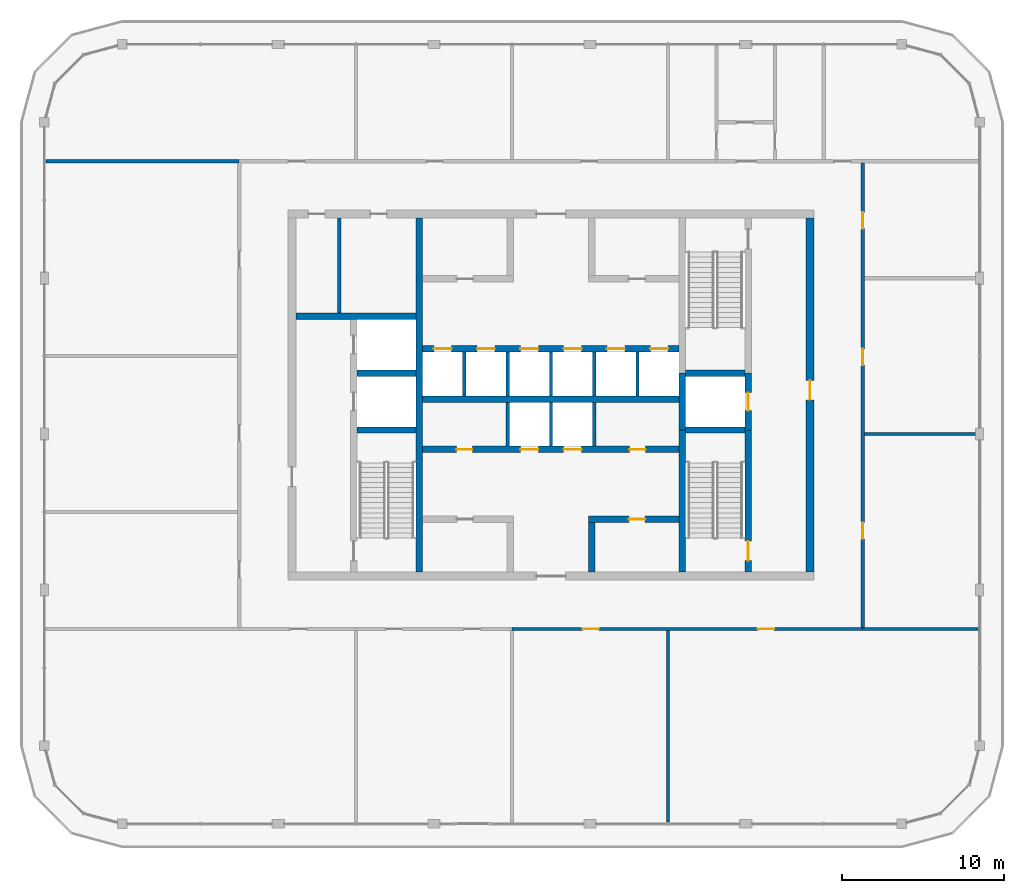
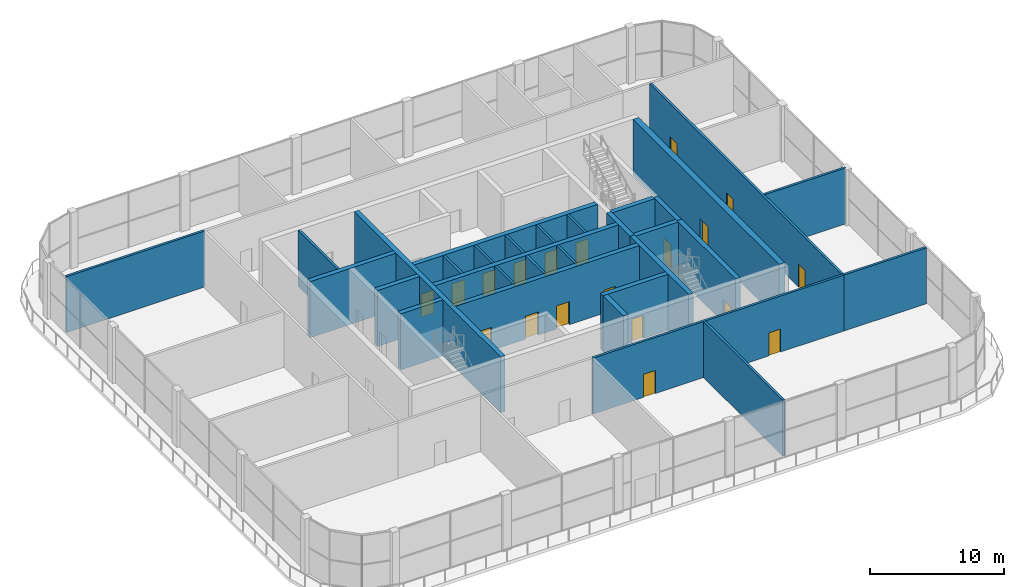
# One storey, part 10 of 15: 31 walls, 19 doors, 19 openings.
"""IFC4 building model written with IfcOpenShell, lengths in metres."""

from ifc_helpers import new_model, si_unit, direction, frame, frame_2d, origin, place, context, subcontext, project, spatial, rectangle, extrude, material, layer, layer_set, type_object, element, fill, save


model = new_model("IFC4")

# Units and contexts
model_context = context("Model", 3, precision=1e-05, world=origin(), true_north=direction((0.0, 1.0)))
body_context = subcontext(model_context, "Body", "Model", "MODEL_VIEW")
ifc_project = project(units=[si_unit("LENGTHUNIT", "METRE"), si_unit("AREAUNIT", "SQUARE_METRE"), si_unit("VOLUMEUNIT", "CUBIC_METRE"), si_unit("PLANEANGLEUNIT", "RADIAN"), si_unit("MASSUNIT", "GRAM", prefix="KILO")], contexts=[model_context])

# Site, building, storey
site_placement = place(None, origin())
site = spatial("IfcSite", under=ifc_project, at=site_placement, CompositionType="ELEMENT")
building_placement = place(site_placement, origin())
building = spatial("IfcBuilding", under=site, at=building_placement, Name="Madar Terraces", CompositionType="ELEMENT")
storey_placement = place(building_placement, frame((0.0, 0.0, 286.10009765625)))
storey = spatial("IfcBuildingStorey", under=building, at=storey_placement, Name="L75", CompositionType="ELEMENT", Elevation=286.10009765625)

# Walls
ifc_material_1 = material(Name="Concrete C50/60", Category="concrete")
ifc_layer_1 = layer(ifc_material_1, 0.39990234375)
ifc_layer_set_1 = layer_set([ifc_layer_1], Name="Concrete C50/60 (CIW6 RC wall 400)")
wall_type_1 = type_object("IfcWallType", Name="CIW6 RC wall 400", PredefinedType="SHEAR", material=ifc_layer_set_1)
wall_1_placement = place(storey_placement, frame((23.10009765625, 15.5, 0.0), z_axis=(0.0, 0.0, 1.0), x_axis=(0.0, 1.0, 0.0)))
element("IfcWall", 1, at=wall_1_placement, inside=storey, type_object=wall_type_1, Name="CORE SHAFT WALL", PredefinedType="SHEAR", context=body_context, shape_type="SweptSolid", body=[
    extrude(rectangle(XDim=21.800048828125, YDim=0.39990234375, at=frame_2d((10.89990234375, 0.0))), origin(), (0.0, 0.0, 1.0), 5.099853515625),
])
wall_2_placement = place(storey_placement, frame((39.300048828125, 15.5, 0.0), z_axis=(0.0, 0.0, 1.0), x_axis=(0.0, 1.0, 0.0)))
element("IfcWall", 2, at=wall_2_placement, inside=storey, type_object=wall_type_1, Name="CORE SHAFT WALL", PredefinedType="SHEAR", context=body_context, shape_type="SweptSolid", body=[
    extrude(rectangle(XDim=8.75, YDim=0.39990234375, at=frame_2d((4.375, 0.0))), origin(), (0.0, 0.0, 1.0), 5.099853515625),
])
wall_3_placement = place(storey_placement, frame((39.300048828125, 24.25, 0.0), z_axis=(0.0, 0.0, 1.0), x_axis=(0.0, 1.0, 0.0)))
element("IfcWall", 3, at=wall_3_placement, inside=storey, type_object=wall_type_1, Name="CORE SHAFT WALL", PredefinedType="SHEAR", context=body_context, shape_type="SweptSolid", body=[
    extrude(rectangle(XDim=3.5, YDim=0.39990234375, at=frame_2d((1.75, 0.0))), origin(), (0.0, 0.0, 1.0), 5.099853515625),
])

# Wall, opening, door
wall_4_placement = place(storey_placement, frame((43.35009765625, 15.5, 0.0), z_axis=(0.0, 0.0, 1.0), x_axis=(0.0, 1.0, 0.0)))
wall_4 = element("IfcWall", 4, at=wall_4_placement, inside=storey, type_object=wall_type_1, Name="CORE SHAFT WALL", PredefinedType="SHEAR", context=body_context, shape_type="SweptSolid", body=[
    extrude(rectangle(XDim=8.75, YDim=0.39990234375, at=frame_2d((4.375, 0.0))), origin(), (0.0, 0.0, 1.0), 5.099853515625),
])
opening_1_placement = place(wall_4_placement, frame((0.699951171875, 0.0, 0.0)))
opening_1 = element("IfcOpeningElement", 5, at=opening_1_placement, cuts=wall_4, Name="Opening SD1", PredefinedType="OPENING", context=body_context, shape_type="SweptSolid", body=[
    extrude(rectangle(XDim=1.199951171875, YDim=2.10009765625, at=frame_2d((0.60009765625, 1.050048828125))), frame((0.0, 0.2099609375, 0.0), z_axis=(0.0, -1.0, 0.0), x_axis=(1.0, 0.0, 0.0)), (0.0, 0.0, 1.0), 0.419921875),
])
ifc_material_2 = material(Name="Steel door leaf", Category="steel")
door_type_1 = type_object("IfcDoorType", Name="Stair door 1200 x 2100", OperationType="NOTDEFINED", PredefinedType="DOOR", material=ifc_material_2)
door_1_placement = place(opening_1_placement, origin())
door_1 = element("IfcDoor", 6, at=door_1_placement, inside=storey, type_object=door_type_1, Name="STAIR DOOR", OperationType="SINGLE_SWING_RIGHT", OverallHeight=2.10009765625, OverallWidth=1.199951171875, PredefinedType="DOOR", context=body_context, shape_type="SweptSolid", body=[
    extrude(rectangle(XDim=1.199951171875, YDim=2.10009765625, at=frame_2d((0.60009765625, 1.050048828125))), frame((0.0, 0.02490234375, 0.0), z_axis=(0.0, -1.0, 0.0), x_axis=(1.0, 0.0, 0.0)), (0.0, 0.0, 1.0), 0.050048828125),
])
fill(opening_1, door_1)

wall_5_placement = place(storey_placement, frame((43.35009765625, 24.25, 0.0), z_axis=(0.0, 0.0, 1.0), x_axis=(0.0, 1.0, 0.0)))
wall_5 = element("IfcWall", 7, at=wall_5_placement, inside=storey, type_object=wall_type_1, Name="CORE SHAFT WALL", PredefinedType="SHEAR", context=body_context, shape_type="SweptSolid", body=[
    extrude(rectangle(XDim=3.5, YDim=0.39990234375, at=frame_2d((1.75, 0.0))), origin(), (0.0, 0.0, 1.0), 5.099853515625),
])
opening_2_placement = place(wall_5_placement, frame((1.199951171875, 0.0, 0.0)))
opening_2 = element("IfcOpeningElement", 8, at=opening_2_placement, cuts=wall_5, Name="Opening LD", PredefinedType="OPENING", context=body_context, shape_type="SweptSolid", body=[
    extrude(rectangle(XDim=1.10009765625, YDim=2.10009765625, at=frame_2d((0.550048828125, 1.050048828125))), frame((0.0, 0.2099609375, 0.0), z_axis=(0.0, -1.0, 0.0), x_axis=(1.0, 0.0, 0.0)), (0.0, 0.0, 1.0), 0.419921875),
])
ifc_material_3 = material(Name="Stainless steel panel", Category="steel")
door_type_2 = type_object("IfcDoorType", Name="Lift landing door 1100 x 2100", OperationType="DOUBLE_DOOR_SLIDING", PredefinedType="DOOR", material=ifc_material_3)
door_2_placement = place(opening_2_placement, origin())
door_2 = element("IfcDoor", 9, at=door_2_placement, inside=storey, type_object=door_type_2, Name="LIFT LANDING DOOR", OperationType="DOUBLE_DOOR_SLIDING", OverallHeight=2.10009765625, OverallWidth=1.10009765625, PredefinedType="DOOR", context=body_context, shape_type="SweptSolid", body=[
    extrude(rectangle(XDim=1.10009765625, YDim=2.10009765625, at=frame_2d((0.550048828125, 1.050048828125))), frame((0.0, 0.02490234375, 0.0), z_axis=(0.0, -1.0, 0.0), x_axis=(1.0, 0.0, 0.0)), (0.0, 0.0, 1.0), 0.050048828125),
])
fill(opening_2, door_2)

# Walls
for number, where, z_axis, x_axis, name in (
    (10, (19.25, 24.25, 0.0), (0.0, 0.0, 1.0), (1.0, 0.0, 0.0), "CORE SHAFT WALL"),
    (11, (19.25, 27.75, 0.0), (0.0, 0.0, 1.0), (1.0, 0.0, 0.0), "CORE SHAFT WALL"),
):
    element("IfcWall", number, at=place(storey_placement, frame(where, z_axis=z_axis, x_axis=x_axis)), inside=storey, type_object=wall_type_1, Name=name, PredefinedType="SHEAR", context=body_context, shape_type="SweptSolid", body=[
        extrude(rectangle(XDim=3.64990234375, YDim=0.39990234375, at=frame_2d((1.824951171875, 0.0))), origin(), (0.0, 0.0, 1.0), 5.099853515625),
    ])
wall_6_placement = place(storey_placement, frame((15.5, 31.25, 0.0), z_axis=(0.0, 0.0, 1.0), x_axis=(1.0, 0.0, 0.0)))
element("IfcWall", 12, at=wall_6_placement, inside=storey, type_object=wall_type_1, Name="CORE SHAFT WALL", PredefinedType="SHEAR", context=body_context, shape_type="SweptSolid", body=[
    extrude(rectangle(XDim=7.39990234375, YDim=0.39990234375, at=frame_2d((3.699951171875, 0.0))), origin(), (0.0, 0.0, 1.0), 5.099853515625),
])
for number, where, z_axis, x_axis, name in (
    (13, (39.5, 24.25, 0.0), (0.0, 0.0, 1.0), (1.0, 0.0, 0.0), "CORE SHAFT WALL"),
    (14, (39.5, 27.75, 0.0), (0.0, 0.0, 1.0), (1.0, 0.0, 0.0), "CORE SHAFT WALL"),
):
    element("IfcWall", number, at=place(storey_placement, frame(where, z_axis=z_axis, x_axis=x_axis)), inside=storey, type_object=wall_type_1, Name=name, PredefinedType="SHEAR", context=body_context, shape_type="SweptSolid", body=[
        extrude(rectangle(XDim=3.64990234375, YDim=0.39990234375, at=frame_2d((1.824951171875, 0.0))), origin(), (0.0, 0.0, 1.0), 5.099853515625),
    ])

# Wall, opening, door
wall_7_placement = place(storey_placement, frame((33.5, 18.75, 0.0), z_axis=(0.0, 0.0, 1.0), x_axis=(1.0, 0.0, 0.0)))
wall_7 = element("IfcWall", 15, at=wall_7_placement, inside=storey, type_object=wall_type_1, Name="CORE SHAFT WALL", PredefinedType="SHEAR", context=body_context, shape_type="SweptSolid", body=[
    extrude(rectangle(XDim=5.60009765625, YDim=0.39990234375, at=frame_2d((2.800048828125, 0.0))), origin(), (0.0, 0.0, 1.0), 5.099853515625),
])
opening_3_placement = place(wall_7_placement, frame((2.5, 0.0, 0.0)))
opening_3 = element("IfcOpeningElement", 16, at=opening_3_placement, cuts=wall_7, Name="Opening KD2", PredefinedType="OPENING", context=body_context, shape_type="SweptSolid", body=[
    extrude(rectangle(XDim=1.0, YDim=2.10009765625, at=frame_2d((0.5, 1.050048828125))), frame((0.0, 0.2099609375, 0.0), z_axis=(0.0, -1.0, 0.0), x_axis=(1.0, 0.0, 0.0)), (0.0, 0.0, 1.0), 0.419921875),
])
ifc_material_4 = material(Name="Steel door leaf", Category="steel")
door_type_3 = type_object("IfcDoorType", Name="Service room door 1000 x 2100", OperationType="NOTDEFINED", PredefinedType="DOOR", material=ifc_material_4)
door_3_placement = place(opening_3_placement, origin())
door_3 = element("IfcDoor", 17, at=door_3_placement, inside=storey, type_object=door_type_3, Name="SERVICE ROOM DOOR", OperationType="SINGLE_SWING_LEFT", OverallHeight=2.10009765625, OverallWidth=1.0, PredefinedType="DOOR", context=body_context, shape_type="SweptSolid", body=[
    extrude(rectangle(XDim=1.0, YDim=2.10009765625, at=frame_2d((0.5, 1.050048828125))), frame((0.0, 0.02490234375, 0.0), z_axis=(0.0, -1.0, 0.0), x_axis=(1.0, 0.0, 0.0)), (0.0, 0.0, 1.0), 0.050048828125),
])
fill(opening_3, door_3)

# Wall, openings, doors
wall_8_placement = place(storey_placement, frame((23.300048828125, 23.050048828125, 0.0), z_axis=(0.0, 0.0, 1.0), x_axis=(1.0, 0.0, 0.0)))
wall_8 = element("IfcWall", 18, at=wall_8_placement, inside=storey, type_object=wall_type_1, Name="CORE SHAFT WALL", PredefinedType="SHEAR", context=body_context, shape_type="SweptSolid", body=[
    extrude(rectangle(XDim=15.800048828125, YDim=0.39990234375, at=frame_2d((7.89990234375, 0.0))), origin(), (0.0, 0.0, 1.0), 5.099853515625),
])
opening_4_placement = place(wall_8_placement, frame((6.0166015625, 0.0, 0.0)))
opening_4 = element("IfcOpeningElement", 19, at=opening_4_placement, cuts=wall_8, Name="Opening LD", PredefinedType="OPENING", context=body_context, shape_type="SweptSolid", body=[
    extrude(rectangle(XDim=1.10009765625, YDim=2.10009765625, at=frame_2d((0.550048828125, 1.050048828125))), frame((0.0, 0.2099609375, 0.0), z_axis=(0.0, -1.0, 0.0), x_axis=(1.0, 0.0, 0.0)), (0.0, 0.0, 1.0), 0.419921875),
])
opening_5_placement = place(wall_8_placement, frame((8.683349609375, 0.0, 0.0)))
opening_5 = element("IfcOpeningElement", 20, at=opening_5_placement, cuts=wall_8, Name="Opening LD", PredefinedType="OPENING", context=body_context, shape_type="SweptSolid", body=[
    extrude(rectangle(XDim=1.10009765625, YDim=2.10009765625, at=frame_2d((0.550048828125, 1.050048828125))), frame((0.0, 0.2099609375, 0.0), z_axis=(0.0, -1.0, 0.0), x_axis=(1.0, 0.0, 0.0)), (0.0, 0.0, 1.0), 0.419921875),
])
opening_6_placement = place(wall_8_placement, frame((2.066650390625, 0.0, 0.0)))
opening_6 = element("IfcOpeningElement", 21, at=opening_6_placement, cuts=wall_8, Name="Opening KD2", PredefinedType="OPENING", context=body_context, shape_type="SweptSolid", body=[
    extrude(rectangle(XDim=1.0, YDim=2.10009765625, at=frame_2d((0.5, 1.050048828125))), frame((0.0, 0.2099609375, 0.0), z_axis=(0.0, -1.0, 0.0), x_axis=(1.0, 0.0, 0.0)), (0.0, 0.0, 1.0), 0.419921875),
])
opening_7_placement = place(wall_8_placement, frame((12.7333984375, 0.0, 0.0)))
opening_7 = element("IfcOpeningElement", 22, at=opening_7_placement, cuts=wall_8, Name="Opening KD2", PredefinedType="OPENING", context=body_context, shape_type="SweptSolid", body=[
    extrude(rectangle(XDim=1.0, YDim=2.10009765625, at=frame_2d((0.5, 1.050048828125))), frame((0.0, 0.2099609375, 0.0), z_axis=(0.0, -1.0, 0.0), x_axis=(1.0, 0.0, 0.0)), (0.0, 0.0, 1.0), 0.419921875),
])
door_4_placement = place(opening_4_placement, origin())
door_4 = element("IfcDoor", 23, at=door_4_placement, inside=storey, type_object=door_type_2, Name="LIFT LANDING DOOR", OperationType="DOUBLE_DOOR_SLIDING", OverallHeight=2.10009765625, OverallWidth=1.10009765625, PredefinedType="DOOR", context=body_context, shape_type="SweptSolid", body=[
    extrude(rectangle(XDim=1.10009765625, YDim=2.10009765625, at=frame_2d((0.550048828125, 1.050048828125))), frame((0.0, 0.02490234375, 0.0), z_axis=(0.0, -1.0, 0.0), x_axis=(1.0, 0.0, 0.0)), (0.0, 0.0, 1.0), 0.050048828125),
])
fill(opening_4, door_4)
door_5_placement = place(opening_5_placement, origin())
door_5 = element("IfcDoor", 24, at=door_5_placement, inside=storey, type_object=door_type_2, Name="LIFT LANDING DOOR", OperationType="DOUBLE_DOOR_SLIDING", OverallHeight=2.10009765625, OverallWidth=1.10009765625, PredefinedType="DOOR", context=body_context, shape_type="SweptSolid", body=[
    extrude(rectangle(XDim=1.10009765625, YDim=2.10009765625, at=frame_2d((0.550048828125, 1.050048828125))), frame((0.0, 0.02490234375, 0.0), z_axis=(0.0, -1.0, 0.0), x_axis=(1.0, 0.0, 0.0)), (0.0, 0.0, 1.0), 0.050048828125),
])
fill(opening_5, door_5)
door_6_placement = place(opening_6_placement, frame((1.0, 0.0, 0.0), z_axis=(0.0, 0.0, 1.0), x_axis=(-1.0, 0.0, 0.0)))
door_6 = element("IfcDoor", 25, at=door_6_placement, inside=storey, type_object=door_type_3, Name="SERVICE ROOM DOOR", OperationType="SINGLE_SWING_RIGHT", OverallHeight=2.10009765625, OverallWidth=1.0, PredefinedType="DOOR", context=body_context, shape_type="SweptSolid", body=[
    extrude(rectangle(XDim=1.0, YDim=2.10009765625, at=frame_2d((0.5, 1.050048828125))), frame((0.0, 0.02490234375, 0.0), z_axis=(0.0, -1.0, 0.0), x_axis=(1.0, 0.0, 0.0)), (0.0, 0.0, 1.0), 0.050048828125),
])
fill(opening_6, door_6)
door_7_placement = place(opening_7_placement, frame((1.0, 0.0, 0.0), z_axis=(0.0, 0.0, 1.0), x_axis=(-1.0, 0.0, 0.0)))
door_7 = element("IfcDoor", 26, at=door_7_placement, inside=storey, type_object=door_type_3, Name="SERVICE ROOM DOOR", OperationType="SINGLE_SWING_LEFT", OverallHeight=2.10009765625, OverallWidth=1.0, PredefinedType="DOOR", context=body_context, shape_type="SweptSolid", body=[
    extrude(rectangle(XDim=1.0, YDim=2.10009765625, at=frame_2d((0.5, 1.050048828125))), frame((0.0, 0.02490234375, 0.0), z_axis=(0.0, -1.0, 0.0), x_axis=(1.0, 0.0, 0.0)), (0.0, 0.0, 1.0), 0.050048828125),
])
fill(opening_7, door_7)

# Wall
wall_9_placement = place(storey_placement, frame((23.300048828125, 26.14990234375, 0.0), z_axis=(0.0, 0.0, 1.0), x_axis=(1.0, 0.0, 0.0)))
element("IfcWall", 27, at=wall_9_placement, inside=storey, type_object=wall_type_1, Name="CORE SHAFT WALL", PredefinedType="SHEAR", context=body_context, shape_type="SweptSolid", body=[
    extrude(rectangle(XDim=15.800048828125, YDim=0.39990234375, at=frame_2d((7.89990234375, 0.0))), origin(), (0.0, 0.0, 1.0), 5.099853515625),
])

# Wall, openings, doors
wall_10_placement = place(storey_placement, frame((23.300048828125, 29.25, 0.0), z_axis=(0.0, 0.0, 1.0), x_axis=(1.0, 0.0, 0.0)))
wall_10 = element("IfcWall", 28, at=wall_10_placement, inside=storey, type_object=wall_type_1, Name="CORE SHAFT WALL", PredefinedType="SHEAR", context=body_context, shape_type="SweptSolid", body=[
    extrude(rectangle(XDim=15.800048828125, YDim=0.39990234375, at=frame_2d((7.89990234375, 0.0))), origin(), (0.0, 0.0, 1.0), 5.099853515625),
])
opening_8_placement = place(wall_10_placement, frame((0.683349609375, 0.0, 0.0)))
opening_8 = element("IfcOpeningElement", 29, at=opening_8_placement, cuts=wall_10, Name="Opening LD", PredefinedType="OPENING", context=body_context, shape_type="SweptSolid", body=[
    extrude(rectangle(XDim=1.10009765625, YDim=2.10009765625, at=frame_2d((0.550048828125, 1.050048828125))), frame((0.0, 0.2099609375, 0.0), z_axis=(0.0, -1.0, 0.0), x_axis=(1.0, 0.0, 0.0)), (0.0, 0.0, 1.0), 0.419921875),
])
opening_9_placement = place(wall_10_placement, frame((3.35009765625, 0.0, 0.0)))
opening_9 = element("IfcOpeningElement", 30, at=opening_9_placement, cuts=wall_10, Name="Opening LD", PredefinedType="OPENING", context=body_context, shape_type="SweptSolid", body=[
    extrude(rectangle(XDim=1.10009765625, YDim=2.10009765625, at=frame_2d((0.550048828125, 1.050048828125))), frame((0.0, 0.2099609375, 0.0), z_axis=(0.0, -1.0, 0.0), x_axis=(1.0, 0.0, 0.0)), (0.0, 0.0, 1.0), 0.419921875),
])
opening_10_placement = place(wall_10_placement, frame((6.0166015625, 0.0, 0.0)))
opening_10 = element("IfcOpeningElement", 31, at=opening_10_placement, cuts=wall_10, Name="Opening LD", PredefinedType="OPENING", context=body_context, shape_type="SweptSolid", body=[
    extrude(rectangle(XDim=1.10009765625, YDim=2.10009765625, at=frame_2d((0.550048828125, 1.050048828125))), frame((0.0, 0.2099609375, 0.0), z_axis=(0.0, -1.0, 0.0), x_axis=(1.0, 0.0, 0.0)), (0.0, 0.0, 1.0), 0.419921875),
])
opening_11_placement = place(wall_10_placement, frame((8.683349609375, 0.0, 0.0)))
opening_11 = element("IfcOpeningElement", 32, at=opening_11_placement, cuts=wall_10, Name="Opening LD", PredefinedType="OPENING", context=body_context, shape_type="SweptSolid", body=[
    extrude(rectangle(XDim=1.10009765625, YDim=2.10009765625, at=frame_2d((0.550048828125, 1.050048828125))), frame((0.0, 0.2099609375, 0.0), z_axis=(0.0, -1.0, 0.0), x_axis=(1.0, 0.0, 0.0)), (0.0, 0.0, 1.0), 0.419921875),
])
opening_12_placement = place(wall_10_placement, frame((11.35009765625, 0.0, 0.0)))
opening_12 = element("IfcOpeningElement", 33, at=opening_12_placement, cuts=wall_10, Name="Opening LD", PredefinedType="OPENING", context=body_context, shape_type="SweptSolid", body=[
    extrude(rectangle(XDim=1.10009765625, YDim=2.10009765625, at=frame_2d((0.550048828125, 1.050048828125))), frame((0.0, 0.2099609375, 0.0), z_axis=(0.0, -1.0, 0.0), x_axis=(1.0, 0.0, 0.0)), (0.0, 0.0, 1.0), 0.419921875),
])
opening_13_placement = place(wall_10_placement, frame((14.0166015625, 0.0, 0.0)))
opening_13 = element("IfcOpeningElement", 34, at=opening_13_placement, cuts=wall_10, Name="Opening LD", PredefinedType="OPENING", context=body_context, shape_type="SweptSolid", body=[
    extrude(rectangle(XDim=1.10009765625, YDim=2.10009765625, at=frame_2d((0.550048828125, 1.050048828125))), frame((0.0, 0.2099609375, 0.0), z_axis=(0.0, -1.0, 0.0), x_axis=(1.0, 0.0, 0.0)), (0.0, 0.0, 1.0), 0.419921875),
])
door_8_placement = place(opening_8_placement, origin())
door_8 = element("IfcDoor", 35, at=door_8_placement, inside=storey, type_object=door_type_2, Name="LIFT LANDING DOOR", OperationType="DOUBLE_DOOR_SLIDING", OverallHeight=2.10009765625, OverallWidth=1.10009765625, PredefinedType="DOOR", context=body_context, shape_type="SweptSolid", body=[
    extrude(rectangle(XDim=1.10009765625, YDim=2.10009765625, at=frame_2d((0.550048828125, 1.050048828125))), frame((0.0, 0.02490234375, 0.0), z_axis=(0.0, -1.0, 0.0), x_axis=(1.0, 0.0, 0.0)), (0.0, 0.0, 1.0), 0.050048828125),
])
fill(opening_8, door_8)
door_9_placement = place(opening_9_placement, origin())
door_9 = element("IfcDoor", 36, at=door_9_placement, inside=storey, type_object=door_type_2, Name="LIFT LANDING DOOR", OperationType="DOUBLE_DOOR_SLIDING", OverallHeight=2.10009765625, OverallWidth=1.10009765625, PredefinedType="DOOR", context=body_context, shape_type="SweptSolid", body=[
    extrude(rectangle(XDim=1.10009765625, YDim=2.10009765625, at=frame_2d((0.550048828125, 1.050048828125))), frame((0.0, 0.02490234375, 0.0), z_axis=(0.0, -1.0, 0.0), x_axis=(1.0, 0.0, 0.0)), (0.0, 0.0, 1.0), 0.050048828125),
])
fill(opening_9, door_9)
door_10_placement = place(opening_10_placement, origin())
door_10 = element("IfcDoor", 37, at=door_10_placement, inside=storey, type_object=door_type_2, Name="LIFT LANDING DOOR", OperationType="DOUBLE_DOOR_SLIDING", OverallHeight=2.10009765625, OverallWidth=1.10009765625, PredefinedType="DOOR", context=body_context, shape_type="SweptSolid", body=[
    extrude(rectangle(XDim=1.10009765625, YDim=2.10009765625, at=frame_2d((0.550048828125, 1.050048828125))), frame((0.0, 0.02490234375, 0.0), z_axis=(0.0, -1.0, 0.0), x_axis=(1.0, 0.0, 0.0)), (0.0, 0.0, 1.0), 0.050048828125),
])
fill(opening_10, door_10)
door_11_placement = place(opening_11_placement, origin())
door_11 = element("IfcDoor", 38, at=door_11_placement, inside=storey, type_object=door_type_2, Name="LIFT LANDING DOOR", OperationType="DOUBLE_DOOR_SLIDING", OverallHeight=2.10009765625, OverallWidth=1.10009765625, PredefinedType="DOOR", context=body_context, shape_type="SweptSolid", body=[
    extrude(rectangle(XDim=1.10009765625, YDim=2.10009765625, at=frame_2d((0.550048828125, 1.050048828125))), frame((0.0, 0.02490234375, 0.0), z_axis=(0.0, -1.0, 0.0), x_axis=(1.0, 0.0, 0.0)), (0.0, 0.0, 1.0), 0.050048828125),
])
fill(opening_11, door_11)
door_12_placement = place(opening_12_placement, origin())
door_12 = element("IfcDoor", 39, at=door_12_placement, inside=storey, type_object=door_type_2, Name="LIFT LANDING DOOR", OperationType="DOUBLE_DOOR_SLIDING", OverallHeight=2.10009765625, OverallWidth=1.10009765625, PredefinedType="DOOR", context=body_context, shape_type="SweptSolid", body=[
    extrude(rectangle(XDim=1.10009765625, YDim=2.10009765625, at=frame_2d((0.550048828125, 1.050048828125))), frame((0.0, 0.02490234375, 0.0), z_axis=(0.0, -1.0, 0.0), x_axis=(1.0, 0.0, 0.0)), (0.0, 0.0, 1.0), 0.050048828125),
])
fill(opening_12, door_12)
door_13_placement = place(opening_13_placement, origin())
door_13 = element("IfcDoor", 40, at=door_13_placement, inside=storey, type_object=door_type_2, Name="LIFT LANDING DOOR", OperationType="DOUBLE_DOOR_SLIDING", OverallHeight=2.10009765625, OverallWidth=1.10009765625, PredefinedType="DOOR", context=body_context, shape_type="SweptSolid", body=[
    extrude(rectangle(XDim=1.10009765625, YDim=2.10009765625, at=frame_2d((0.550048828125, 1.050048828125))), frame((0.0, 0.02490234375, 0.0), z_axis=(0.0, -1.0, 0.0), x_axis=(1.0, 0.0, 0.0)), (0.0, 0.0, 1.0), 0.050048828125),
])
fill(opening_13, door_13)

# Wall
wall_11_placement = place(storey_placement, frame((33.699951171875, 15.5, 0.0), z_axis=(0.0, 0.0, 1.0), x_axis=(0.0, 1.0, 0.0)))
element("IfcWall", 41, at=wall_11_placement, inside=storey, type_object=wall_type_1, Name="CORE SHAFT WALL", PredefinedType="SHEAR", context=body_context, shape_type="SweptSolid", body=[
    extrude(rectangle(XDim=3.050048828125, YDim=0.39990234375, at=frame_2d((1.52490234375, 0.0))), origin(), (0.0, 0.0, 1.0), 5.099853515625),
])

# Wall, opening, door
ifc_material_5 = material(Name="Concrete C50/60", Category="concrete")
ifc_layer_2 = layer(ifc_material_5, 0.5)
ifc_layer_set_2 = layer_set([ifc_layer_2], Name="Concrete C50/60 (CRW6 RC wall 500)")
wall_type_2 = type_object("IfcWallType", Name="CRW6 RC wall 500", PredefinedType="SHEAR", material=ifc_layer_set_2)
wall_12_placement = place(storey_placement, frame((47.14990234375, 15.5, 0.0), z_axis=(0.0, 0.0, 1.0), x_axis=(0.0, 1.0, 0.0)))
wall_12 = element("IfcWall", 42, at=wall_12_placement, inside=storey, type_object=wall_type_2, Name="CORE OUTER WALL", PredefinedType="SHEAR", context=body_context, shape_type="SweptSolid", body=[
    extrude(rectangle(XDim=21.800048828125, YDim=0.5, at=frame_2d((10.89990234375, 0.0))), origin(), (0.0, 0.0, 1.0), 5.099853515625),
])
opening_14_placement = place(wall_12_placement, frame((10.60009765625, 0.0, 0.0)))
opening_14 = element("IfcOpeningElement", 43, at=opening_14_placement, cuts=wall_12, Name="Opening SD1", PredefinedType="OPENING", context=body_context, shape_type="SweptSolid", body=[
    extrude(rectangle(XDim=1.199951171875, YDim=2.10009765625, at=frame_2d((0.60009765625, 1.050048828125))), frame((0.0, 0.260009765625, 0.0), z_axis=(0.0, -1.0, 0.0), x_axis=(1.0, 0.0, 0.0)), (0.0, 0.0, 1.0), 0.52001953125),
])
door_14_placement = place(opening_14_placement, origin())
door_14 = element("IfcDoor", 44, at=door_14_placement, inside=storey, type_object=door_type_1, Name="STAIR DOOR", OperationType="SINGLE_SWING_LEFT", OverallHeight=2.10009765625, OverallWidth=1.199951171875, PredefinedType="DOOR", context=body_context, shape_type="SweptSolid", body=[
    extrude(rectangle(XDim=1.199951171875, YDim=2.10009765625, at=frame_2d((0.60009765625, 1.050048828125))), frame((0.0, 0.02490234375, 0.0), z_axis=(0.0, -1.0, 0.0), x_axis=(1.0, 0.0, 0.0)), (0.0, 0.0, 1.0), 0.050048828125),
])
fill(opening_14, door_14)

# Walls
ifc_material_6 = material(Name="Masonry blockwork", Category="masonry")
ifc_layer_3 = layer(ifc_material_6, 0.199951171875)
ifc_layer_set_3 = layer_set([ifc_layer_3], Name="Core partition 200 blockwork")
wall_type_3 = type_object("IfcWallType", Name="Core partition 200 blockwork", PredefinedType="PARTITIONING", material=ifc_layer_set_3)
wall_13_placement = place(storey_placement, frame((18.1640625, 31.449951171875, 0.0), z_axis=(0.0, 0.0, 1.0), x_axis=(0.0, 1.0, 0.0)))
element("IfcWall", 45, at=wall_13_placement, inside=storey, type_object=wall_type_3, Name="SERVICE ROOM PARTITION", PredefinedType="PARTITIONING", context=body_context, shape_type="SweptSolid", body=[
    extrude(rectangle(XDim=5.85009765625, YDim=0.199951171875, at=frame_2d((2.925048828125, 0.0))), origin(), (0.0, 0.0, 1.0), 5.099853515625),
])
ifc_material_7 = material(Name="Concrete C40/50", Category="concrete")
ifc_layer_4 = layer(ifc_material_7, 0.199951171875)
ifc_layer_set_4 = layer_set([ifc_layer_4], Name="Core shaft dividing wall 200 C40/50")
wall_type_4 = type_object("IfcWallType", Name="Core shaft dividing wall 200 C40/50", PredefinedType="SOLIDWALL", material=ifc_layer_set_4)
for number, where, z_axis, x_axis, name in (
    (46, (25.86669921875, 26.35009765625, 0.0), (0.0, 0.0, 1.0), (0.0, 1.0, 0.0), "SHAFT DIVIDING WALL"),
    (47, (28.533447265625, 23.25, 0.0), (0.0, 0.0, 1.0), (0.0, 1.0, 0.0), "SHAFT DIVIDING WALL"),
    (48, (28.533447265625, 26.35009765625, 0.0), (0.0, 0.0, 1.0), (0.0, 1.0, 0.0), "SHAFT DIVIDING WALL"),
    (49, (31.199951171875, 23.25, 0.0), (0.0, 0.0, 1.0), (0.0, 1.0, 0.0), "SHAFT DIVIDING WALL"),
    (50, (31.199951171875, 26.35009765625, 0.0), (0.0, 0.0, 1.0), (0.0, 1.0, 0.0), "SHAFT DIVIDING WALL"),
    (51, (33.86669921875, 23.25, 0.0), (0.0, 0.0, 1.0), (0.0, 1.0, 0.0), "SHAFT DIVIDING WALL"),
    (52, (33.86669921875, 26.35009765625, 0.0), (0.0, 0.0, 1.0), (0.0, 1.0, 0.0), "SHAFT DIVIDING WALL"),
    (53, (36.533447265625, 26.35009765625, 0.0), (0.0, 0.0, 1.0), (0.0, 1.0, 0.0), "SHAFT DIVIDING WALL"),
):
    element("IfcWall", number, at=place(storey_placement, frame(where, z_axis=z_axis, x_axis=x_axis)), inside=storey, type_object=wall_type_4, Name=name, PredefinedType="SOLIDWALL", context=body_context, shape_type="SweptSolid", body=[
        extrude(rectangle(XDim=2.699951171875, YDim=0.199951171875, at=frame_2d((1.35009765625, 0.0))), origin(), (0.0, 0.0, 1.0), 5.099853515625),
    ])
ifc_material_8 = material(Name="Gypsum board partition, fire-rated")
ifc_layer_5 = layer(ifc_material_8, 0.199951171875)
ifc_layer_set_5 = layer_set([ifc_layer_5], Name="Partition 200 EI 60")
wall_type_5 = type_object("IfcWallType", Name="Partition 200 EI 60", PredefinedType="PARTITIONING", material=ifc_layer_set_5)
wall_14_placement = place(storey_placement, frame((50.39990234375, 12.0, 0.0), z_axis=(0.0, 0.0, 1.0), x_axis=(1.0, 0.0, 0.0)))
element("IfcWall", 54, at=wall_14_placement, inside=storey, type_object=wall_type_5, Name="Wall ORIENTATION ROOM / STAFF ROOM", PredefinedType="PARTITIONING", context=body_context, shape_type="SweptSolid", body=[
    extrude(rectangle(XDim=7.10009765625, YDim=0.199951171875, at=frame_2d((3.550048828125, 0.0))), origin(), (0.0, 0.0, 1.0), 5.099853515625),
])

# Wall, openings, doors
wall_15_placement = place(storey_placement, frame((50.39990234375, 12.0, 0.0), z_axis=(0.0, 0.0, 1.0), x_axis=(-1.0, 0.0, 0.0)))
wall_15 = element("IfcWall", 55, at=wall_15_placement, inside=storey, type_object=wall_type_5, Name="Wall ORIENTATION ROOM + OUTLOOK ROOM", PredefinedType="PARTITIONING", context=body_context, shape_type="SweptSolid", body=[
    extrude(rectangle(XDim=21.599853515625, YDim=0.199951171875, at=frame_2d((10.7998046875, 0.0))), origin(), (0.0, 0.0, 1.0), 5.099853515625),
])
opening_15_placement = place(wall_15_placement, frame((16.25, 0.0, 0.0)))
opening_15 = element("IfcOpeningElement", 56, at=opening_15_placement, cuts=wall_15, Name="Opening D31", PredefinedType="OPENING", context=body_context, shape_type="SweptSolid", body=[
    extrude(rectangle(XDim=1.0, YDim=2.10009765625, at=frame_2d((0.5, 1.050048828125))), frame((0.0, 0.10986328125, 0.0), z_axis=(0.0, -1.0, 0.0), x_axis=(1.0, 0.0, 0.0)), (0.0, 0.0, 1.0), 0.219970703125),
])
opening_16_placement = place(wall_15_placement, frame((5.449951171875, 0.0, 0.0)))
opening_16 = element("IfcOpeningElement", 57, at=opening_16_placement, cuts=wall_15, Name="Opening D31", PredefinedType="OPENING", context=body_context, shape_type="SweptSolid", body=[
    extrude(rectangle(XDim=1.0, YDim=2.10009765625, at=frame_2d((0.5, 1.050048828125))), frame((0.0, 0.10986328125, 0.0), z_axis=(0.0, -1.0, 0.0), x_axis=(1.0, 0.0, 0.0)), (0.0, 0.0, 1.0), 0.219970703125),
])
ifc_material_9 = material(Name="Timber door leaf, fire-rated", Category="wood")
door_type_4 = type_object("IfcDoorType", Name="Podium door 1000 x 2100 FD30S", OperationType="NOTDEFINED", PredefinedType="DOOR", material=ifc_material_9)
door_15_placement = place(opening_15_placement, origin())
door_15 = element("IfcDoor", 58, at=door_15_placement, inside=storey, type_object=door_type_4, Name="Door OUTLOOK ROOM / RING CORRIDOR", OperationType="SINGLE_SWING_LEFT", OverallHeight=2.10009765625, OverallWidth=1.0, PredefinedType="DOOR", context=body_context, shape_type="SweptSolid", body=[
    extrude(rectangle(XDim=1.0, YDim=2.10009765625, at=frame_2d((0.5, 1.050048828125))), frame((0.0, 0.02490234375, 0.0), z_axis=(0.0, -1.0, 0.0), x_axis=(1.0, 0.0, 0.0)), (0.0, 0.0, 1.0), 0.050048828125),
])
fill(opening_15, door_15)
door_16_placement = place(opening_16_placement, origin())
door_16 = element("IfcDoor", 59, at=door_16_placement, inside=storey, type_object=door_type_4, Name="Door ORIENTATION ROOM / RING CORRIDOR", OperationType="SINGLE_SWING_LEFT", OverallHeight=2.10009765625, OverallWidth=1.0, PredefinedType="DOOR", context=body_context, shape_type="SweptSolid", body=[
    extrude(rectangle(XDim=1.0, YDim=2.10009765625, at=frame_2d((0.5, 1.050048828125))), frame((0.0, 0.02490234375, 0.0), z_axis=(0.0, -1.0, 0.0), x_axis=(1.0, 0.0, 0.0)), (0.0, 0.0, 1.0), 0.050048828125),
])
fill(opening_16, door_16)

# Walls
wall_16_placement = place(storey_placement, frame((50.5, 24.0, 0.0), z_axis=(0.0, 0.0, 1.0), x_axis=(1.0, 0.0, 0.0)))
element("IfcWall", 60, at=wall_16_placement, inside=storey, type_object=wall_type_5, Name="Wall STAFF ROOM / ART ROOM", PredefinedType="PARTITIONING", context=body_context, shape_type="SweptSolid", body=[
    extrude(rectangle(XDim=7.0, YDim=0.199951171875, at=frame_2d((3.5, 0.0))), origin(), (0.0, 0.0, 1.0), 5.099853515625),
])
wall_17_placement = place(storey_placement, frame((0.10009765625, 40.800048828125, 0.0), z_axis=(0.0, 0.0, 1.0), x_axis=(1.0, 0.0, 0.0)))
element("IfcWall", 61, at=wall_17_placement, inside=storey, type_object=wall_type_5, Name="Wall HOBBY ROOM / INFORMATION ROOM", PredefinedType="PARTITIONING", context=body_context, shape_type="SweptSolid", body=[
    extrude(rectangle(XDim=11.89990234375, YDim=0.199951171875, at=frame_2d((5.949951171875, 0.0))), origin(), (0.0, 0.0, 1.0), 5.099853515625),
])
wall_18_placement = place(storey_placement, frame((38.39990234375, 0.10009765625, 0.0), z_axis=(0.0, 0.0, 1.0), x_axis=(0.0, 1.0, 0.0)))
element("IfcWall", 62, at=wall_18_placement, inside=storey, type_object=wall_type_5, Name="Wall OUTLOOK ROOM / ORIENTATION ROOM", PredefinedType="PARTITIONING", context=body_context, shape_type="SweptSolid", body=[
    extrude(rectangle(XDim=11.7998046875, YDim=0.199951171875, at=frame_2d((5.89990234375, 0.0))), origin(), (0.0, 0.0, 1.0), 5.099853515625),
])

# Wall, openings, doors
wall_19_placement = place(storey_placement, frame((50.39990234375, 40.699951171875, 0.0), z_axis=(0.0, 0.0, 1.0), x_axis=(0.0, -1.0, 0.0)))
wall_19 = element("IfcWall", 63, at=wall_19_placement, inside=storey, type_object=wall_type_5, Name="Wall ART ROOM + STAFF ROOM", PredefinedType="PARTITIONING", context=body_context, shape_type="SweptSolid", body=[
    extrude(rectangle(XDim=28.599853515625, YDim=0.199951171875, at=frame_2d((14.2998046875, 0.0))), origin(), (0.0, 0.0, 1.0), 5.099853515625),
])
opening_17_placement = place(wall_19_placement, frame((22.14990234375, 0.0, 0.0)))
opening_17 = element("IfcOpeningElement", 64, at=opening_17_placement, cuts=wall_19, Name="Opening D31", PredefinedType="OPENING", context=body_context, shape_type="SweptSolid", body=[
    extrude(rectangle(XDim=1.0, YDim=2.10009765625, at=frame_2d((0.5, 1.050048828125))), frame((0.0, 0.10986328125, 0.0), z_axis=(0.0, -1.0, 0.0), x_axis=(1.0, 0.0, 0.0)), (0.0, 0.0, 1.0), 0.219970703125),
])
opening_18_placement = place(wall_19_placement, frame((11.449951171875, 0.0, 0.0)))
opening_18 = element("IfcOpeningElement", 65, at=opening_18_placement, cuts=wall_19, Name="Opening D31", PredefinedType="OPENING", context=body_context, shape_type="SweptSolid", body=[
    extrude(rectangle(XDim=1.0, YDim=2.10009765625, at=frame_2d((0.5, 1.050048828125))), frame((0.0, 0.10986328125, 0.0), z_axis=(0.0, -1.0, 0.0), x_axis=(1.0, 0.0, 0.0)), (0.0, 0.0, 1.0), 0.219970703125),
])
opening_19_placement = place(wall_19_placement, frame((3.050048828125, 0.0, 0.0)))
opening_19 = element("IfcOpeningElement", 66, at=opening_19_placement, cuts=wall_19, Name="Opening D31", PredefinedType="OPENING", context=body_context, shape_type="SweptSolid", body=[
    extrude(rectangle(XDim=1.0, YDim=2.10009765625, at=frame_2d((0.5, 1.050048828125))), frame((0.0, 0.10986328125, 0.0), z_axis=(0.0, -1.0, 0.0), x_axis=(1.0, 0.0, 0.0)), (0.0, 0.0, 1.0), 0.219970703125),
])
door_17_placement = place(opening_17_placement, origin())
door_17 = element("IfcDoor", 67, at=door_17_placement, inside=storey, type_object=door_type_4, Name="Door STAFF ROOM / RING CORRIDOR", OperationType="SINGLE_SWING_LEFT", OverallHeight=2.10009765625, OverallWidth=1.0, PredefinedType="DOOR", context=body_context, shape_type="SweptSolid", body=[
    extrude(rectangle(XDim=1.0, YDim=2.10009765625, at=frame_2d((0.5, 1.050048828125))), frame((0.0, 0.02490234375, 0.0), z_axis=(0.0, -1.0, 0.0), x_axis=(1.0, 0.0, 0.0)), (0.0, 0.0, 1.0), 0.050048828125),
])
fill(opening_17, door_17)
door_18_placement = place(opening_18_placement, origin())
door_18 = element("IfcDoor", 68, at=door_18_placement, inside=storey, type_object=door_type_4, Name="Door ART ROOM / RING CORRIDOR", OperationType="SINGLE_SWING_RIGHT", OverallHeight=2.10009765625, OverallWidth=1.0, PredefinedType="DOOR", context=body_context, shape_type="SweptSolid", body=[
    extrude(rectangle(XDim=1.0, YDim=2.10009765625, at=frame_2d((0.5, 1.050048828125))), frame((0.0, 0.02490234375, 0.0), z_axis=(0.0, -1.0, 0.0), x_axis=(1.0, 0.0, 0.0)), (0.0, 0.0, 1.0), 0.050048828125),
])
fill(opening_18, door_18)
door_19_placement = place(opening_19_placement, origin())
door_19 = element("IfcDoor", 69, at=door_19_placement, inside=storey, type_object=door_type_4, Name="Door STAFF WC / RING CORRIDOR", OperationType="SINGLE_SWING_RIGHT", OverallHeight=2.10009765625, OverallWidth=1.0, PredefinedType="DOOR", context=body_context, shape_type="SweptSolid", body=[
    extrude(rectangle(XDim=1.0, YDim=2.10009765625, at=frame_2d((0.5, 1.050048828125))), frame((0.0, 0.02490234375, 0.0), z_axis=(0.0, -1.0, 0.0), x_axis=(1.0, 0.0, 0.0)), (0.0, 0.0, 1.0), 0.050048828125),
])
fill(opening_19, door_19)

save(model, "model.ifc")
